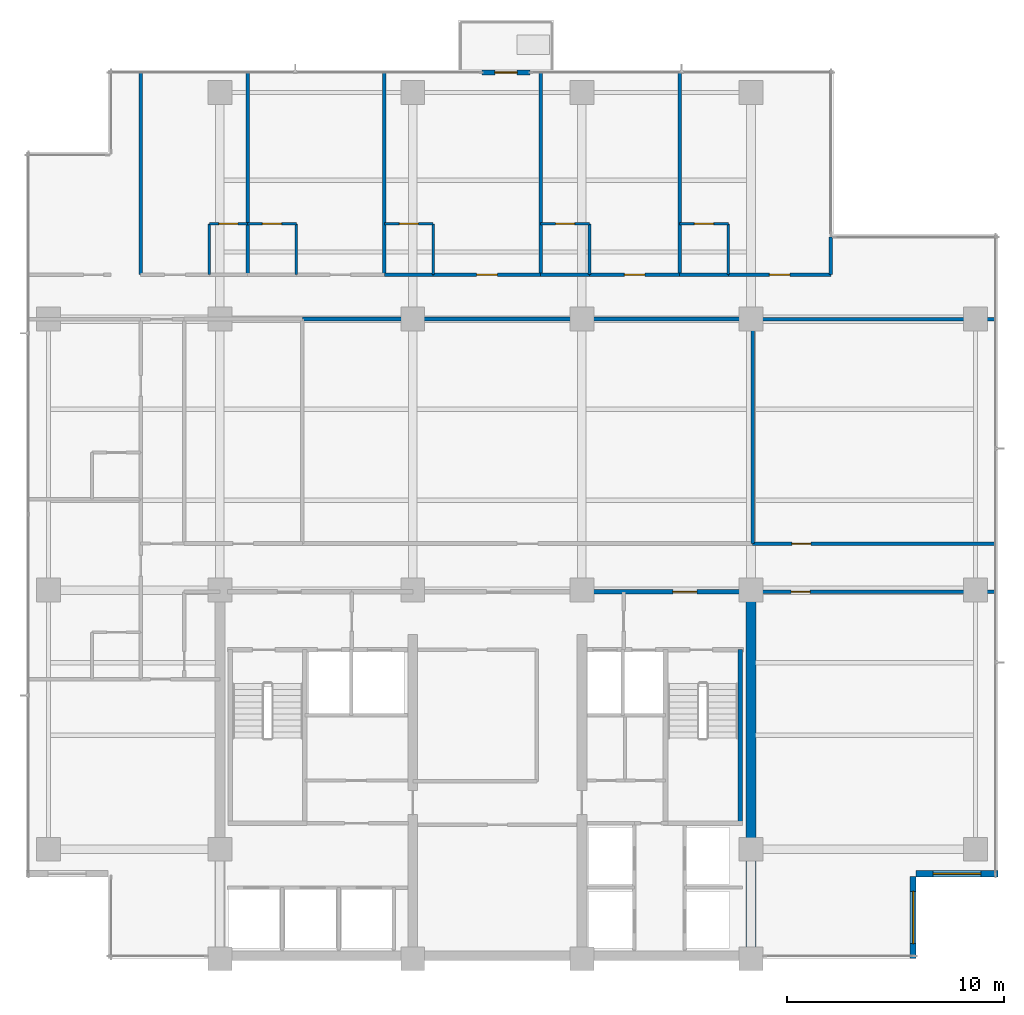
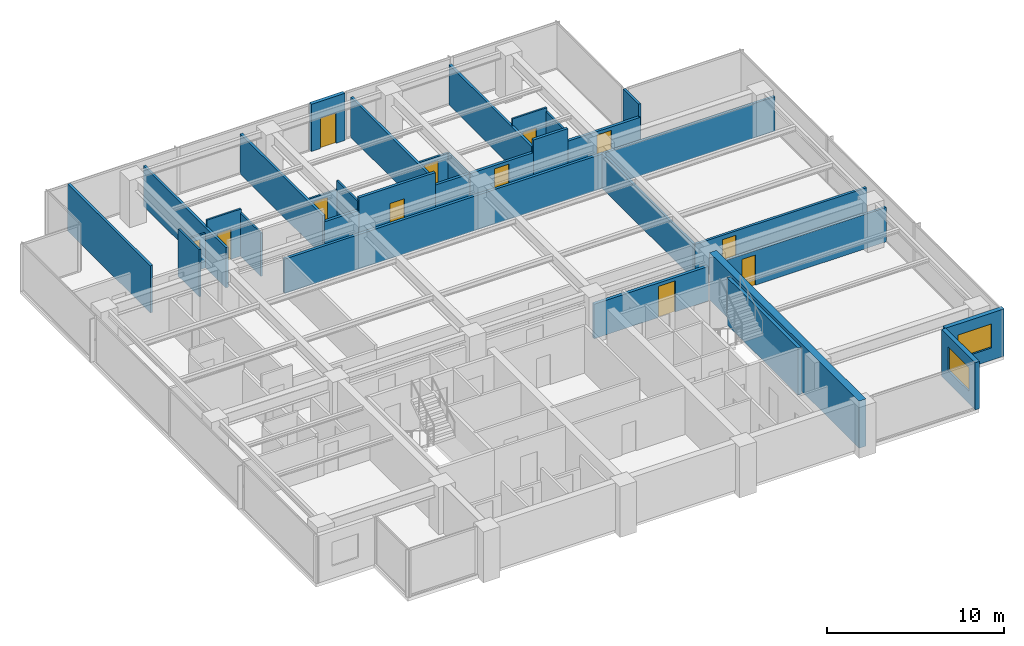
# One storey, part 9 of 15: 33 walls, 12 doors, 2 windows, 14 openings.
"""IFC4 building model written with IfcOpenShell, lengths in metres."""

from ifc_helpers import new_model, si_unit, direction, frame, frame_2d, origin, place, context, subcontext, project, spatial, rectangle, extrude, material, layer, layer_set, type_object, element, fill, save


model = new_model("IFC4")

# Units and contexts
model_context = context("Model", 3, precision=1e-05, world=origin(), true_north=direction((0.0, 1.0)))
body_context = subcontext(model_context, "Body", "Model", "MODEL_VIEW")
ifc_project = project(units=[si_unit("LENGTHUNIT", "METRE"), si_unit("AREAUNIT", "SQUARE_METRE"), si_unit("VOLUMEUNIT", "CUBIC_METRE"), si_unit("PLANEANGLEUNIT", "RADIAN"), si_unit("MASSUNIT", "GRAM", prefix="KILO")], contexts=[model_context])

# Site, building, storey
site_placement = place(None, origin())
site = spatial("IfcSite", under=ifc_project, at=site_placement, CompositionType="ELEMENT")
building_placement = place(site_placement, origin())
building = spatial("IfcBuilding", under=site, at=building_placement, Name="Qalmaran Belvedere Hotel", CompositionType="ELEMENT")
storey_placement = place(building_placement, frame((0.0, 0.0, 170.10009765625)))
storey = spatial("IfcBuildingStorey", under=building, at=storey_placement, Name="L43", CompositionType="ELEMENT", Elevation=170.10009765625)

# Wall, opening, door
ifc_material_1 = material(Name="Anodised Bronze Cladding")
ifc_layer_1 = layer(ifc_material_1, 0.22509765625, Name="Anodised Bronze Cladding")
ifc_layer_set_1 = layer_set([ifc_layer_1], Name="Anodised Bronze Cladding")
wall_type_1 = type_object("IfcWallType", Name="WL-BAL-PORT-225", PredefinedType="SOLIDWALL", material=ifc_layer_set_1)
wall_1_placement = place(storey_placement, frame((32.39990234375, 44.3798828125, 0.0), z_axis=(0.0, 0.0, 1.0), x_axis=(1.0, 0.0, 0.0)))
wall_1 = element("IfcWall", 1, at=wall_1_placement, inside=storey, type_object=wall_type_1, Name="L43 Tree Balcony Door Portal", PredefinedType="SOLIDWALL", context=body_context, shape_type="SweptSolid", body=[
    extrude(rectangle(XDim=2.2001953125, YDim=0.22509765625, at=frame_2d((1.10009765625, 0.0))), origin(), (0.0, 0.0, 1.0), 3.25),
])
opening_1_placement = place(wall_1_placement, frame((0.590087890625, 0.0, 0.0)))
opening_1 = element("IfcOpeningElement", 2, at=opening_1_placement, cuts=wall_1, Name="Opening BL-102", PredefinedType="OPENING", context=body_context, shape_type="SweptSolid", body=[
    extrude(rectangle(XDim=1.02001953125, YDim=2.10009765625, at=frame_2d((0.510009765625, 1.050048828125))), frame((0.0, 0.12255859375, 0.0), z_axis=(0.0, -1.0, 0.0), x_axis=(1.0, 0.0, 0.0)), (0.0, 0.0, 1.0), 0.2451171875),
])
ifc_material_2 = material(Name="Anodised Bronze Aluminium", Category="aluminium")
door_type_1 = type_object("IfcDoorType", Name="DR-BAL-1020X2100", OperationType="NOTDEFINED", PredefinedType="DOOR", material=ifc_material_2)
door_1_placement = place(opening_1_placement, origin())
door_1 = element("IfcDoor", 3, at=door_1_placement, inside=storey, type_object=door_type_1, Name="L43 Planted Tree Balcony Door", OperationType="SINGLE_SWING_RIGHT", OverallHeight=2.10009765625, OverallWidth=1.02001953125, PredefinedType="DOOR", context=body_context, shape_type="SweptSolid", body=[
    extrude(rectangle(XDim=1.02001953125, YDim=2.10009765625, at=frame_2d((0.510009765625, 1.050048828125))), frame((0.0, 0.02490234375, 0.0), z_axis=(0.0, -1.0, 0.0), x_axis=(1.0, 0.0, 0.0)), (0.0, 0.0, 1.0), 0.050048828125),
])
fill(opening_1, door_1)

# Wall
ifc_material_3 = material(Name="Concrete C50/60", Category="concrete")
ifc_layer_2 = layer(ifc_material_3, 0.449951171875, Name="Concrete C50/60")
ifc_layer_set_2 = layer_set([ifc_layer_2], Name="Concrete C50/60")
wall_type_2 = type_object("IfcWallType", Name="WL-CORE-450-C50", PredefinedType="SHEAR", material=ifc_layer_set_2)
wall_2_placement = place(storey_placement, frame((44.800048828125, 3.5, 0.0), z_axis=(0.0, 0.0, 1.0), x_axis=(0.0, 1.0, 0.0)))
element("IfcWall", 4, at=wall_2_placement, inside=storey, type_object=wall_type_2, Name="L43 East Core Shear Wall", PredefinedType="SHEAR", context=body_context, shape_type="SweptSolid", body=[
    extrude(rectangle(XDim=16.89990234375, YDim=0.449951171875, at=frame_2d((8.449951171875, 0.0))), origin(), (0.0, 0.0, 1.0), 3.25),
])

# Wall, opening, window
ifc_layer_3 = layer(ifc_material_1, 0.280029296875, Name="Anodised Bronze Cladding")
ifc_layer_set_3 = layer_set([ifc_layer_3], Name="Anodised Bronze Cladding")
wall_type_3 = type_object("IfcWallType", Name="WL-EXT-BRNZ-280", PredefinedType="SOLIDWALL", material=ifc_layer_set_3)
wall_3_placement = place(storey_placement, frame((52.280029296875, 3.5, 0.0), z_axis=(0.0, 0.0, 1.0), x_axis=(0.0, 1.0, 0.0)))
wall_3 = element("IfcWall", 5, at=wall_3_placement, inside=storey, type_object=wall_type_3, Name="L43 Corner Notch Wall 1", PredefinedType="SOLIDWALL", context=body_context, shape_type="SweptSolid", body=[
    extrude(rectangle(XDim=3.800048828125, YDim=0.280029296875, at=frame_2d((1.89990234375, 0.0))), origin(), (0.0, 0.0, 1.0), 3.25),
])
opening_2_placement = place(wall_3_placement, frame((0.699951171875, 0.0, 0.85009765625)))
opening_2 = element("IfcOpeningElement", 6, at=opening_2_placement, cuts=wall_3, Name="Opening W-N24", PredefinedType="OPENING", context=body_context, shape_type="SweptSolid", body=[
    extrude(rectangle(XDim=2.39990234375, YDim=1.64990234375, at=frame_2d((1.199951171875, 0.824951171875))), frame((0.0, 0.14990234375, 0.0), z_axis=(0.0, -1.0, 0.0), x_axis=(1.0, 0.0, 0.0)), (0.0, 0.0, 1.0), 0.300048828125),
])
ifc_material_4 = material(Name="Solar-Control Double Glazing", Category="glass")
window_type_1 = type_object("IfcWindowType", Name="WN-NTC-2400X1650", PartitioningType="SINGLE_PANEL", PredefinedType="WINDOW", material=ifc_material_4)
window_1_placement = place(opening_2_placement, origin())
window_1 = element("IfcWindow", 7, at=window_1_placement, inside=storey, type_object=window_type_1, Name="L43 Corner Notch Window 1", OverallHeight=1.64990234375, OverallWidth=2.39990234375, PartitioningType="SINGLE_PANEL", PredefinedType="WINDOW", context=body_context, shape_type="SweptSolid", body=[
    extrude(rectangle(XDim=2.39990234375, YDim=1.64990234375, at=frame_2d((1.199951171875, 0.824951171875))), frame((0.0, 0.030029296875, 0.0), z_axis=(0.0, -1.0, 0.0), x_axis=(1.0, 0.0, 0.0)), (0.0, 0.0, 1.0), 0.06005859375),
])
fill(opening_2, window_1)

wall_4_placement = place(storey_placement, frame((52.39990234375, 7.419921875, 0.0), z_axis=(0.0, 0.0, 1.0), x_axis=(1.0, 0.0, 0.0)))
wall_4 = element("IfcWall", 8, at=wall_4_placement, inside=storey, type_object=wall_type_3, Name="L43 Corner Notch Wall 2", PredefinedType="SOLIDWALL", context=body_context, shape_type="SweptSolid", body=[
    extrude(rectangle(XDim=3.800048828125, YDim=0.280029296875, at=frame_2d((1.89990234375, 0.0))), origin(), (0.0, 0.0, 1.0), 3.25),
])
opening_3_placement = place(wall_4_placement, frame((0.800048828125, 0.0, 0.85009765625)))
opening_3 = element("IfcOpeningElement", 9, at=opening_3_placement, cuts=wall_4, Name="Opening W-N22", PredefinedType="OPENING", context=body_context, shape_type="SweptSolid", body=[
    extrude(rectangle(XDim=2.199951171875, YDim=1.64990234375, at=frame_2d((1.10009765625, 0.824951171875))), frame((0.0, 0.14990234375, 0.0), z_axis=(0.0, -1.0, 0.0), x_axis=(1.0, 0.0, 0.0)), (0.0, 0.0, 1.0), 0.300048828125),
])
window_type_2 = type_object("IfcWindowType", Name="WN-NTC-2200X1650", PartitioningType="SINGLE_PANEL", PredefinedType="WINDOW", material=ifc_material_4)
window_2_placement = place(opening_3_placement, origin())
window_2 = element("IfcWindow", 10, at=window_2_placement, inside=storey, type_object=window_type_2, Name="L43 Corner Notch Window 2", OverallHeight=1.64990234375, OverallWidth=2.199951171875, PartitioningType="SINGLE_PANEL", PredefinedType="WINDOW", context=body_context, shape_type="SweptSolid", body=[
    extrude(rectangle(XDim=2.199951171875, YDim=1.64990234375, at=frame_2d((1.10009765625, 0.824951171875))), frame((0.0, 0.030029296875, 0.0), z_axis=(0.0, -1.0, 0.0), x_axis=(1.0, 0.0, 0.0)), (0.0, 0.0, 1.0), 0.06005859375),
])
fill(opening_3, window_2)

# Wall, opening, door
ifc_material_5 = material(Name="Moisture-Resistant Gypsum")
ifc_layer_4 = layer(ifc_material_5, 0.1201171875, Name="Moisture-Resistant Gypsum")
ifc_layer_set_4 = layer_set([ifc_layer_4], Name="Moisture-Resistant Gypsum")
wall_type_4 = type_object("IfcWallType", Name="WL-INT-120-BATH", PredefinedType="PARTITIONING", material=ifc_layer_set_4)
wall_5_placement = place(storey_placement, frame((19.809814453125, 37.39990234375, 0.0), z_axis=(0.0, 0.0, 1.0), x_axis=(1.0, 0.0, 0.0)))
wall_5 = element("IfcWall", 11, at=wall_5_placement, inside=storey, type_object=wall_type_4, Name="L43 Partition WL-L43-NBN00", PredefinedType="PARTITIONING", context=body_context, shape_type="SweptSolid", body=[
    extrude(rectangle(XDim=1.77001953125, YDim=0.1201171875, at=frame_2d((0.885009765625, 0.0))), origin(), (0.0, 0.0, 1.0), 2.3798828125),
])
opening_4_placement = place(wall_5_placement, frame((1.324951171875, 0.0, 0.0), z_axis=(0.0, 0.0, 1.0), x_axis=(-1.0, 0.0, 0.0)))
opening_4 = element("IfcOpeningElement", 12, at=opening_4_placement, cuts=wall_5, Name="Opening D-BATH", PredefinedType="OPENING", context=body_context, shape_type="SweptSolid", body=[
    extrude(rectangle(XDim=0.8798828125, YDim=2.080078125, at=frame_2d((0.43994140625, 1.0400390625))), frame((0.0, 0.070068359375, 0.0), z_axis=(0.0, -1.0, 0.0), x_axis=(1.0, 0.0, 0.0)), (0.0, 0.0, 1.0), 0.14013671875),
])
ifc_material_6 = material(Name="Engineered Oak Veneer")
door_type_2 = type_object("IfcDoorType", Name="DR-INT-BATH-880X2080", OperationType="NOTDEFINED", PredefinedType="DOOR", material=ifc_material_6)
door_2_placement = place(opening_4_placement, origin())
door_2 = element("IfcDoor", 13, at=door_2_placement, inside=storey, type_object=door_type_2, Name="L43 Ensuite Bathroom Door N01", OperationType="SINGLE_SWING_RIGHT", OverallHeight=2.080078125, OverallWidth=0.8798828125, PredefinedType="DOOR", context=body_context, shape_type="SweptSolid", body=[
    extrude(rectangle(XDim=0.8798828125, YDim=2.080078125, at=frame_2d((0.43994140625, 1.0400390625))), frame((0.0, 0.02490234375, 0.0), z_axis=(0.0, -1.0, 0.0), x_axis=(1.0, 0.0, 0.0)), (0.0, 0.0, 1.0), 0.050048828125),
])
fill(opening_4, door_2)

# Wall
wall_6_placement = place(storey_placement, frame((19.809814453125, 35.050048828125, 0.0), z_axis=(0.0, 0.0, 1.0), x_axis=(0.0, 1.0, 0.0)))
element("IfcWall", 14, at=wall_6_placement, inside=storey, type_object=wall_type_4, Name="L43 Partition WL-L43-NBS00", PredefinedType="PARTITIONING", context=body_context, shape_type="SweptSolid", body=[
    extrude(rectangle(XDim=2.349853515625, YDim=0.1201171875, at=frame_2d((1.1748046875, 0.0))), origin(), (0.0, 0.0, 1.0), 3.25),
])

# Wall, opening, door
wall_7_placement = place(storey_placement, frame((21.579833984375, 37.39990234375, 0.0), z_axis=(0.0, 0.0, 1.0), x_axis=(1.0, 0.0, 0.0)))
wall_7 = element("IfcWall", 15, at=wall_7_placement, inside=storey, type_object=wall_type_4, Name="L43 Partition WL-L43-NBN01", PredefinedType="PARTITIONING", context=body_context, shape_type="SweptSolid", body=[
    extrude(rectangle(XDim=2.25, YDim=0.1201171875, at=frame_2d((1.125, 0.0))), origin(), (0.0, 0.0, 1.0), 3.25),
])
opening_5_placement = place(wall_7_placement, frame((1.56494140625, 0.0, 0.0), z_axis=(0.0, 0.0, 1.0), x_axis=(-1.0, 0.0, 0.0)))
opening_5 = element("IfcOpeningElement", 16, at=opening_5_placement, cuts=wall_7, Name="Opening D-BATH", PredefinedType="OPENING", context=body_context, shape_type="SweptSolid", body=[
    extrude(rectangle(XDim=0.8798828125, YDim=2.080078125, at=frame_2d((0.43994140625, 1.0400390625))), frame((0.0, 0.070068359375, 0.0), z_axis=(0.0, -1.0, 0.0), x_axis=(1.0, 0.0, 0.0)), (0.0, 0.0, 1.0), 0.14013671875),
])
door_3_placement = place(opening_5_placement, origin())
door_3 = element("IfcDoor", 17, at=door_3_placement, inside=storey, type_object=door_type_2, Name="L43 Ensuite Bathroom Door N02", OperationType="SINGLE_SWING_RIGHT", OverallHeight=2.080078125, OverallWidth=0.8798828125, PredefinedType="DOOR", context=body_context, shape_type="SweptSolid", body=[
    extrude(rectangle(XDim=0.8798828125, YDim=2.080078125, at=frame_2d((0.43994140625, 1.0400390625))), frame((0.0, 0.02490234375, 0.0), z_axis=(0.0, -1.0, 0.0), x_axis=(1.0, 0.0, 0.0)), (0.0, 0.0, 1.0), 0.050048828125),
])
fill(opening_5, door_3)

# Wall
wall_8_placement = place(storey_placement, frame((23.829833984375, 35.050048828125, 0.0), z_axis=(0.0, 0.0, 1.0), x_axis=(0.0, 1.0, 0.0)))
element("IfcWall", 18, at=wall_8_placement, inside=storey, type_object=wall_type_4, Name="L43 Partition WL-L43-NBS01", PredefinedType="PARTITIONING", context=body_context, shape_type="SweptSolid", body=[
    extrude(rectangle(XDim=2.349853515625, YDim=0.1201171875, at=frame_2d((1.1748046875, 0.0))), origin(), (0.0, 0.0, 1.0), 2.98779296875),
])

# Wall, opening, door
wall_9_placement = place(storey_placement, frame((27.889892578125, 37.39990234375, 0.0), z_axis=(0.0, 0.0, 1.0), x_axis=(1.0, 0.0, 0.0)))
wall_9 = element("IfcWall", 19, at=wall_9_placement, inside=storey, type_object=wall_type_4, Name="L43 Partition WL-L43-NBN02", PredefinedType="PARTITIONING", context=body_context, shape_type="SweptSolid", body=[
    extrude(rectangle(XDim=2.25, YDim=0.1201171875, at=frame_2d((1.125, 0.0))), origin(), (0.0, 0.0, 1.0), 2.3798828125),
])
opening_6_placement = place(wall_9_placement, frame((1.56494140625, 0.0, 0.0), z_axis=(0.0, 0.0, 1.0), x_axis=(-1.0, 0.0, 0.0)))
opening_6 = element("IfcOpeningElement", 20, at=opening_6_placement, cuts=wall_9, Name="Opening D-BATH", PredefinedType="OPENING", context=body_context, shape_type="SweptSolid", body=[
    extrude(rectangle(XDim=0.8798828125, YDim=2.080078125, at=frame_2d((0.43994140625, 1.0400390625))), frame((0.0, 0.070068359375, 0.0), z_axis=(0.0, -1.0, 0.0), x_axis=(1.0, 0.0, 0.0)), (0.0, 0.0, 1.0), 0.14013671875),
])
door_4_placement = place(opening_6_placement, origin())
door_4 = element("IfcDoor", 21, at=door_4_placement, inside=storey, type_object=door_type_2, Name="L43 Ensuite Bathroom Door N03", OperationType="SINGLE_SWING_RIGHT", OverallHeight=2.080078125, OverallWidth=0.8798828125, PredefinedType="DOOR", context=body_context, shape_type="SweptSolid", body=[
    extrude(rectangle(XDim=0.8798828125, YDim=2.080078125, at=frame_2d((0.43994140625, 1.0400390625))), frame((0.0, 0.02490234375, 0.0), z_axis=(0.0, -1.0, 0.0), x_axis=(1.0, 0.0, 0.0)), (0.0, 0.0, 1.0), 0.050048828125),
])
fill(opening_6, door_4)

# Wall
wall_10_placement = place(storey_placement, frame((30.139892578125, 35.050048828125, 0.0), z_axis=(0.0, 0.0, 1.0), x_axis=(0.0, 1.0, 0.0)))
element("IfcWall", 22, at=wall_10_placement, inside=storey, type_object=wall_type_4, Name="L43 Partition WL-L43-NBS02", PredefinedType="PARTITIONING", context=body_context, shape_type="SweptSolid", body=[
    extrude(rectangle(XDim=2.349853515625, YDim=0.1201171875, at=frame_2d((1.1748046875, 0.0))), origin(), (0.0, 0.0, 1.0), 2.98779296875),
])

# Wall, opening, door
wall_11_placement = place(storey_placement, frame((35.10009765625, 37.39990234375, 0.0), z_axis=(0.0, 0.0, 1.0), x_axis=(1.0, 0.0, 0.0)))
wall_11 = element("IfcWall", 23, at=wall_11_placement, inside=storey, type_object=wall_type_4, Name="L43 Partition WL-L43-NBN03", PredefinedType="PARTITIONING", context=body_context, shape_type="SweptSolid", body=[
    extrude(rectangle(XDim=2.25, YDim=0.1201171875, at=frame_2d((1.125, 0.0))), origin(), (0.0, 0.0, 1.0), 2.3798828125),
])
opening_7_placement = place(wall_11_placement, frame((1.56494140625, 0.0, 0.0), z_axis=(0.0, 0.0, 1.0), x_axis=(-1.0, 0.0, 0.0)))
opening_7 = element("IfcOpeningElement", 24, at=opening_7_placement, cuts=wall_11, Name="Opening D-BATH", PredefinedType="OPENING", context=body_context, shape_type="SweptSolid", body=[
    extrude(rectangle(XDim=0.8798828125, YDim=2.080078125, at=frame_2d((0.43994140625, 1.0400390625))), frame((0.0, 0.070068359375, 0.0), z_axis=(0.0, -1.0, 0.0), x_axis=(1.0, 0.0, 0.0)), (0.0, 0.0, 1.0), 0.14013671875),
])
door_5_placement = place(opening_7_placement, origin())
door_5 = element("IfcDoor", 25, at=door_5_placement, inside=storey, type_object=door_type_2, Name="L43 Ensuite Bathroom Door N04", OperationType="SINGLE_SWING_RIGHT", OverallHeight=2.080078125, OverallWidth=0.8798828125, PredefinedType="DOOR", context=body_context, shape_type="SweptSolid", body=[
    extrude(rectangle(XDim=0.8798828125, YDim=2.080078125, at=frame_2d((0.43994140625, 1.0400390625))), frame((0.0, 0.02490234375, 0.0), z_axis=(0.0, -1.0, 0.0), x_axis=(1.0, 0.0, 0.0)), (0.0, 0.0, 1.0), 0.050048828125),
])
fill(opening_7, door_5)

# Wall
wall_12_placement = place(storey_placement, frame((37.35009765625, 35.050048828125, 0.0), z_axis=(0.0, 0.0, 1.0), x_axis=(0.0, 1.0, 0.0)))
element("IfcWall", 26, at=wall_12_placement, inside=storey, type_object=wall_type_4, Name="L43 Partition WL-L43-NBS03", PredefinedType="PARTITIONING", context=body_context, shape_type="SweptSolid", body=[
    extrude(rectangle(XDim=2.349853515625, YDim=0.1201171875, at=frame_2d((1.1748046875, 0.0))), origin(), (0.0, 0.0, 1.0), 2.3798828125),
])

# Wall, opening, door
wall_13_placement = place(storey_placement, frame((41.505859375, 37.39990234375, 0.0), z_axis=(0.0, 0.0, 1.0), x_axis=(1.0, 0.0, 0.0)))
wall_13 = element("IfcWall", 27, at=wall_13_placement, inside=storey, type_object=wall_type_4, Name="L43 Partition WL-L43-NBN04", PredefinedType="PARTITIONING", context=body_context, shape_type="SweptSolid", body=[
    extrude(rectangle(XDim=2.25, YDim=0.1201171875, at=frame_2d((1.125, 0.0))), origin(), (0.0, 0.0, 1.0), 3.25),
])
opening_8_placement = place(wall_13_placement, frame((1.56494140625, 0.0, 0.0), z_axis=(0.0, 0.0, 1.0), x_axis=(-1.0, 0.0, 0.0)))
opening_8 = element("IfcOpeningElement", 28, at=opening_8_placement, cuts=wall_13, Name="Opening D-BATH", PredefinedType="OPENING", context=body_context, shape_type="SweptSolid", body=[
    extrude(rectangle(XDim=0.8798828125, YDim=2.080078125, at=frame_2d((0.43994140625, 1.0400390625))), frame((0.0, 0.070068359375, 0.0), z_axis=(0.0, -1.0, 0.0), x_axis=(1.0, 0.0, 0.0)), (0.0, 0.0, 1.0), 0.14013671875),
])
door_6_placement = place(opening_8_placement, origin())
door_6 = element("IfcDoor", 29, at=door_6_placement, inside=storey, type_object=door_type_2, Name="L43 Ensuite Bathroom Door N05", OperationType="SINGLE_SWING_RIGHT", OverallHeight=2.080078125, OverallWidth=0.8798828125, PredefinedType="DOOR", context=body_context, shape_type="SweptSolid", body=[
    extrude(rectangle(XDim=0.8798828125, YDim=2.080078125, at=frame_2d((0.43994140625, 1.0400390625))), frame((0.0, 0.02490234375, 0.0), z_axis=(0.0, -1.0, 0.0), x_axis=(1.0, 0.0, 0.0)), (0.0, 0.0, 1.0), 0.050048828125),
])
fill(opening_8, door_6)

# Wall
wall_14_placement = place(storey_placement, frame((43.755859375, 35.050048828125, 0.0), z_axis=(0.0, 0.0, 1.0), x_axis=(0.0, 1.0, 0.0)))
element("IfcWall", 30, at=wall_14_placement, inside=storey, type_object=wall_type_4, Name="L43 Partition WL-L43-NBS04", PredefinedType="PARTITIONING", context=body_context, shape_type="SweptSolid", body=[
    extrude(rectangle(XDim=2.349853515625, YDim=0.1201171875, at=frame_2d((1.1748046875, 0.0))), origin(), (0.0, 0.0, 1.0), 2.98779296875),
])

# Wall, opening, door
ifc_material_7 = material(Name="Gypsum Stud Partition")
ifc_layer_5 = layer(ifc_material_7, 0.159912109375, Name="Gypsum Stud Partition")
ifc_layer_set_5 = layer_set([ifc_layer_5], Name="Gypsum Stud Partition")
wall_type_5 = type_object("IfcWallType", Name="WL-INT-160-EI60", PredefinedType="PARTITIONING", material=ifc_layer_set_5)
wall_15_placement = place(storey_placement, frame((44.800048828125, 20.419921875, 0.0), z_axis=(0.0, 0.0, 1.0), x_axis=(1.0, 0.0, 0.0)))
wall_15 = element("IfcWall", 31, at=wall_15_placement, inside=storey, type_object=wall_type_5, Name="L43 Partition WL-L43-ECE1S", PredefinedType="PARTITIONING", context=body_context, shape_type="SweptSolid", body=[
    extrude(rectangle(XDim=11.280029296875, YDim=0.159912109375, at=frame_2d((5.64013671875, 0.0))), origin(), (0.0, 0.0, 1.0), 2.3798828125),
])
opening_9_placement = place(wall_15_placement, frame((2.72998046875, 0.0, 0.0), z_axis=(0.0, 0.0, 1.0), x_axis=(-1.0, 0.0, 0.0)))
opening_9 = element("IfcOpeningElement", 32, at=opening_9_placement, cuts=wall_15, Name="Opening FD60B", PredefinedType="OPENING", context=body_context, shape_type="SweptSolid", body=[
    extrude(rectangle(XDim=0.8798828125, YDim=2.080078125, at=frame_2d((0.43994140625, 1.0400390625))), frame((0.0, 0.08984375, 0.0), z_axis=(0.0, -1.0, 0.0), x_axis=(1.0, 0.0, 0.0)), (0.0, 0.0, 1.0), 0.179931640625),
])
ifc_material_8 = material(Name="Steel S355JR", Category="steel")
door_type_3 = type_object("IfcDoorType", Name="DR-FD60B-880X2080", OperationType="NOTDEFINED", PredefinedType="DOOR", material=ifc_material_8)
door_7_placement = place(opening_9_placement, origin())
door_7 = element("IfcDoor", 33, at=door_7_placement, inside=storey, type_object=door_type_3, Name="L43 East Library Door", OperationType="SINGLE_SWING_RIGHT", OverallHeight=2.080078125, OverallWidth=0.8798828125, PredefinedType="DOOR", context=body_context, shape_type="SweptSolid", body=[
    extrude(rectangle(XDim=0.8798828125, YDim=2.080078125, at=frame_2d((0.43994140625, 1.0400390625))), frame((0.0, 0.02490234375, 0.0), z_axis=(0.0, -1.0, 0.0), x_axis=(1.0, 0.0, 0.0)), (0.0, 0.0, 1.0), 0.050048828125),
])
fill(opening_9, door_7)

wall_16_placement = place(storey_placement, frame((44.8798828125, 22.64990234375, 0.0), z_axis=(0.0, 0.0, 1.0), x_axis=(1.0, 0.0, 0.0)))
wall_16 = element("IfcWall", 34, at=wall_16_placement, inside=storey, type_object=wall_type_5, Name="L43 Partition WL-L43-ECE2N", PredefinedType="PARTITIONING", context=body_context, shape_type="SweptSolid", body=[
    extrude(rectangle(XDim=11.2001953125, YDim=0.159912109375, at=frame_2d((5.60009765625, 0.0))), origin(), (0.0, 0.0, 1.0), 2.3798828125),
])
opening_10_placement = place(wall_16_placement, frame((1.800048828125, 0.0, 0.0)))
opening_10 = element("IfcOpeningElement", 35, at=opening_10_placement, cuts=wall_16, Name="Opening FD60B", PredefinedType="OPENING", context=body_context, shape_type="SweptSolid", body=[
    extrude(rectangle(XDim=0.8798828125, YDim=2.080078125, at=frame_2d((0.43994140625, 1.0400390625))), frame((0.0, 0.08984375, 0.0), z_axis=(0.0, -1.0, 0.0), x_axis=(1.0, 0.0, 0.0)), (0.0, 0.0, 1.0), 0.179931640625),
])
door_8_placement = place(opening_10_placement, origin())
door_8 = element("IfcDoor", 36, at=door_8_placement, inside=storey, type_object=door_type_3, Name="L43 East Fitness Door", OperationType="SINGLE_SWING_LEFT", OverallHeight=2.080078125, OverallWidth=0.8798828125, PredefinedType="DOOR", context=body_context, shape_type="SweptSolid", body=[
    extrude(rectangle(XDim=0.8798828125, YDim=2.080078125, at=frame_2d((0.43994140625, 1.0400390625))), frame((0.0, 0.02490234375, 0.0), z_axis=(0.0, -1.0, 0.0), x_axis=(1.0, 0.0, 0.0)), (0.0, 0.0, 1.0), 0.050048828125),
])
fill(opening_10, door_8)

# Walls
wall_17_placement = place(storey_placement, frame((44.8798828125, 33.0, 0.0), z_axis=(0.0, 0.0, 1.0), x_axis=(1.0, 0.0, 0.0)))
element("IfcWall", 37, at=wall_17_placement, inside=storey, type_object=wall_type_5, Name="L43 Partition WL-L43-ECEN", PredefinedType="PARTITIONING", context=body_context, shape_type="SweptSolid", body=[
    extrude(rectangle(XDim=11.2001953125, YDim=0.159912109375, at=frame_2d((5.60009765625, 0.0))), origin(), (0.0, 0.0, 1.0), 2.3798828125),
])
wall_18_placement = place(storey_placement, frame((44.8798828125, 22.64990234375, 0.0), z_axis=(0.0, 0.0, 1.0), x_axis=(0.0, 1.0, 0.0)))
element("IfcWall", 38, at=wall_18_placement, inside=storey, type_object=wall_type_5, Name="L43 Partition WL-L43-MIDVR2", PredefinedType="PARTITIONING", context=body_context, shape_type="SweptSolid", body=[
    extrude(rectangle(XDim=10.35009765625, YDim=0.159912109375, at=frame_2d((5.175048828125, 0.0))), origin(), (0.0, 0.0, 1.0), 2.3798828125),
])
wall_19_placement = place(storey_placement, frame((16.64990234375, 35.050048828125, 0.0), z_axis=(0.0, 0.0, 1.0), x_axis=(0.0, 1.0, 0.0)))
element("IfcWall", 39, at=wall_19_placement, inside=storey, type_object=wall_type_5, Name="L43 Partition WL-L43-NUL", PredefinedType="PARTITIONING", context=body_context, shape_type="SweptSolid", body=[
    extrude(rectangle(XDim=9.329833984375, YDim=0.159912109375, at=frame_2d((4.6650390625, 0.0))), origin(), (0.0, 0.0, 1.0), 3.25),
])
for number, where, z_axis, x_axis, name in (
    (40, (21.579833984375, 35.050048828125, 0.0), (0.0, 0.0, 1.0), (0.0, 1.0, 0.0), "L43 Partition WL-L43-NUR00"),
    (41, (27.889892578125, 35.050048828125, 0.0), (0.0, 0.0, 1.0), (0.0, 1.0, 0.0), "L43 Partition WL-L43-NUR01"),
    (42, (35.10009765625, 35.050048828125, 0.0), (0.0, 0.0, 1.0), (0.0, 1.0, 0.0), "L43 Partition WL-L43-NUR02"),
    (43, (41.505859375, 35.050048828125, 0.0), (0.0, 0.0, 1.0), (0.0, 1.0, 0.0), "L43 Partition WL-L43-NUR03"),
):
    element("IfcWall", number, at=place(storey_placement, frame(where, z_axis=z_axis, x_axis=x_axis)), inside=storey, type_object=wall_type_5, Name=name, PredefinedType="PARTITIONING", context=body_context, shape_type="SweptSolid", body=[
        extrude(rectangle(XDim=9.329833984375, YDim=0.159912109375, at=frame_2d((4.6650390625, 0.0))), origin(), (0.0, 0.0, 1.0), 2.77197265625),
    ])
wall_20_placement = place(storey_placement, frame((48.47998046875, 35.050048828125, 0.0), z_axis=(0.0, 0.0, 1.0), x_axis=(0.0, 1.0, 0.0)))
element("IfcWall", 44, at=wall_20_placement, inside=storey, type_object=wall_type_5, Name="L43 Partition WL-L43-NUR04", PredefinedType="PARTITIONING", context=body_context, shape_type="SweptSolid", body=[
    extrude(rectangle(XDim=1.72998046875, YDim=0.159912109375, at=frame_2d((0.864990234375, 0.0))), origin(), (0.0, 0.0, 1.0), 3.25),
])
ifc_layer_6 = layer(ifc_material_7, 0.179931640625, Name="Gypsum Stud Partition")
ifc_layer_set_6 = layer_set([ifc_layer_6], Name="Gypsum Stud Partition")
wall_type_6 = type_object("IfcWallType", Name="WL-INT-180-EI60", PredefinedType="PARTITIONING", material=ifc_layer_set_6)
wall_21_placement = place(storey_placement, frame((24.10009765625, 33.0, 0.0), z_axis=(0.0, 0.0, 1.0), x_axis=(1.0, 0.0, 0.0)))
element("IfcWall", 45, at=wall_21_placement, inside=storey, type_object=wall_type_6, Name="L43 Partition WL-L43-MIDO2", PredefinedType="PARTITIONING", context=body_context, shape_type="SweptSolid", body=[
    extrude(rectangle(XDim=20.77978515625, YDim=0.179931640625, at=frame_2d((10.389892578125, 0.0))), origin(), (0.0, 0.0, 1.0), 2.3798828125),
])
wall_22_placement = place(storey_placement, frame((27.889892578125, 35.050048828125, 0.0), z_axis=(0.0, 0.0, 1.0), x_axis=(1.0, 0.0, 0.0)))
element("IfcWall", 46, at=wall_22_placement, inside=storey, type_object=wall_type_6, Name="L43 Partition WL-L43-NBC02", PredefinedType="PARTITIONING", context=body_context, shape_type="SweptSolid", body=[
    extrude(rectangle(XDim=2.25, YDim=0.179931640625, at=frame_2d((1.125, 0.0))), origin(), (0.0, 0.0, 1.0), 2.3798828125),
])

# Wall, opening, door
wall_23_placement = place(storey_placement, frame((30.139892578125, 35.050048828125, 0.0), z_axis=(0.0, 0.0, 1.0), x_axis=(1.0, 0.0, 0.0)))
wall_23 = element("IfcWall", 47, at=wall_23_placement, inside=storey, type_object=wall_type_6, Name="L43 Partition WL-L43-NEC02", PredefinedType="PARTITIONING", context=body_context, shape_type="SweptSolid", body=[
    extrude(rectangle(XDim=4.960205078125, YDim=0.179931640625, at=frame_2d((2.47998046875, 0.0))), origin(), (0.0, 0.0, 1.0), 3.25),
])
opening_11_placement = place(wall_23_placement, frame((2.005126953125, 0.0, 0.0)))
opening_11 = element("IfcOpeningElement", 48, at=opening_11_placement, cuts=wall_23, Name="Opening FD60", PredefinedType="OPENING", context=body_context, shape_type="SweptSolid", body=[
    extrude(rectangle(XDim=0.949951171875, YDim=2.14990234375, at=frame_2d((0.47509765625, 1.074951171875))), frame((0.0, 0.10009765625, 0.0), z_axis=(0.0, -1.0, 0.0), x_axis=(1.0, 0.0, 0.0)), (0.0, 0.0, 1.0), 0.199951171875),
])
door_type_4 = type_object("IfcDoorType", Name="DR-FD60-950X2150", OperationType="NOTDEFINED", PredefinedType="DOOR", material=ifc_material_6)
door_9_placement = place(opening_11_placement, origin())
door_9 = element("IfcDoor", 49, at=door_9_placement, inside=storey, type_object=door_type_4, Name="L43 Guest Entrance Door N03", OperationType="SINGLE_SWING_LEFT", OverallHeight=2.14990234375, OverallWidth=0.949951171875, PredefinedType="DOOR", context=body_context, shape_type="SweptSolid", body=[
    extrude(rectangle(XDim=0.949951171875, YDim=2.14990234375, at=frame_2d((0.47509765625, 1.074951171875))), frame((0.0, 0.02490234375, 0.0), z_axis=(0.0, -1.0, 0.0), x_axis=(1.0, 0.0, 0.0)), (0.0, 0.0, 1.0), 0.050048828125),
])
fill(opening_11, door_9)

# Wall
wall_24_placement = place(storey_placement, frame((35.10009765625, 35.050048828125, 0.0), z_axis=(0.0, 0.0, 1.0), x_axis=(1.0, 0.0, 0.0)))
element("IfcWall", 50, at=wall_24_placement, inside=storey, type_object=wall_type_6, Name="L43 Partition WL-L43-NBC03", PredefinedType="PARTITIONING", context=body_context, shape_type="SweptSolid", body=[
    extrude(rectangle(XDim=2.25, YDim=0.179931640625, at=frame_2d((1.125, 0.0))), origin(), (0.0, 0.0, 1.0), 2.3798828125),
])

# Wall, opening, door
wall_25_placement = place(storey_placement, frame((37.35009765625, 35.050048828125, 0.0), z_axis=(0.0, 0.0, 1.0), x_axis=(1.0, 0.0, 0.0)))
wall_25 = element("IfcWall", 51, at=wall_25_placement, inside=storey, type_object=wall_type_6, Name="L43 Partition WL-L43-NEC03", PredefinedType="PARTITIONING", context=body_context, shape_type="SweptSolid", body=[
    extrude(rectangle(XDim=4.15576171875, YDim=0.179931640625, at=frame_2d((2.077880859375, 0.0))), origin(), (0.0, 0.0, 1.0), 2.3798828125),
])
opening_12_placement = place(wall_25_placement, frame((1.602783203125, 0.0, 0.0)))
opening_12 = element("IfcOpeningElement", 52, at=opening_12_placement, cuts=wall_25, Name="Opening FD60", PredefinedType="OPENING", context=body_context, shape_type="SweptSolid", body=[
    extrude(rectangle(XDim=0.949951171875, YDim=2.14990234375, at=frame_2d((0.47509765625, 1.074951171875))), frame((0.0, 0.10009765625, 0.0), z_axis=(0.0, -1.0, 0.0), x_axis=(1.0, 0.0, 0.0)), (0.0, 0.0, 1.0), 0.199951171875),
])
door_10_placement = place(opening_12_placement, origin())
door_10 = element("IfcDoor", 53, at=door_10_placement, inside=storey, type_object=door_type_4, Name="L43 Guest Entrance Door N04", OperationType="SINGLE_SWING_LEFT", OverallHeight=2.14990234375, OverallWidth=0.949951171875, PredefinedType="DOOR", context=body_context, shape_type="SweptSolid", body=[
    extrude(rectangle(XDim=0.949951171875, YDim=2.14990234375, at=frame_2d((0.47509765625, 1.074951171875))), frame((0.0, 0.02490234375, 0.0), z_axis=(0.0, -1.0, 0.0), x_axis=(1.0, 0.0, 0.0)), (0.0, 0.0, 1.0), 0.050048828125),
])
fill(opening_12, door_10)

# Wall
wall_26_placement = place(storey_placement, frame((41.505859375, 35.050048828125, 0.0), z_axis=(0.0, 0.0, 1.0), x_axis=(1.0, 0.0, 0.0)))
element("IfcWall", 54, at=wall_26_placement, inside=storey, type_object=wall_type_6, Name="L43 Partition WL-L43-NBC04", PredefinedType="PARTITIONING", context=body_context, shape_type="SweptSolid", body=[
    extrude(rectangle(XDim=2.25, YDim=0.179931640625, at=frame_2d((1.125, 0.0))), origin(), (0.0, 0.0, 1.0), 3.25),
])

# Wall, opening, door
wall_27_placement = place(storey_placement, frame((43.755859375, 35.050048828125, 0.0), z_axis=(0.0, 0.0, 1.0), x_axis=(1.0, 0.0, 0.0)))
wall_27 = element("IfcWall", 55, at=wall_27_placement, inside=storey, type_object=wall_type_6, Name="L43 Partition WL-L43-NEC04", PredefinedType="PARTITIONING", context=body_context, shape_type="SweptSolid", body=[
    extrude(rectangle(XDim=4.72412109375, YDim=0.179931640625, at=frame_2d((2.362060546875, 0.0))), origin(), (0.0, 0.0, 1.0), 2.3798828125),
])
opening_13_placement = place(wall_27_placement, frame((1.886962890625, 0.0, 0.0)))
opening_13 = element("IfcOpeningElement", 56, at=opening_13_placement, cuts=wall_27, Name="Opening FD60", PredefinedType="OPENING", context=body_context, shape_type="SweptSolid", body=[
    extrude(rectangle(XDim=0.949951171875, YDim=2.14990234375, at=frame_2d((0.47509765625, 1.074951171875))), frame((0.0, 0.10009765625, 0.0), z_axis=(0.0, -1.0, 0.0), x_axis=(1.0, 0.0, 0.0)), (0.0, 0.0, 1.0), 0.199951171875),
])
door_11_placement = place(opening_13_placement, origin())
door_11 = element("IfcDoor", 57, at=door_11_placement, inside=storey, type_object=door_type_4, Name="L43 Guest Entrance Door N05", OperationType="SINGLE_SWING_LEFT", OverallHeight=2.14990234375, OverallWidth=0.949951171875, PredefinedType="DOOR", context=body_context, shape_type="SweptSolid", body=[
    extrude(rectangle(XDim=0.949951171875, YDim=2.14990234375, at=frame_2d((0.47509765625, 1.074951171875))), frame((0.0, 0.02490234375, 0.0), z_axis=(0.0, -1.0, 0.0), x_axis=(1.0, 0.0, 0.0)), (0.0, 0.0, 1.0), 0.050048828125),
])
fill(opening_13, door_11)

ifc_material_9 = material(Name="Concrete C30/37 Blockwork", Category="masonry")
ifc_layer_7 = layer(ifc_material_9, 0.199951171875, Name="Concrete C30/37 Blockwork")
ifc_layer_set_7 = layer_set([ifc_layer_7], Name="Concrete C30/37 Blockwork")
wall_type_7 = type_object("IfcWallType", Name="WL-INT-200-EI120", PredefinedType="PARTITIONING", material=ifc_layer_set_7)
wall_28_placement = place(storey_placement, frame((37.0, 20.419921875, 0.0), z_axis=(0.0, 0.0, 1.0), x_axis=(1.0, 0.0, 0.0)))
wall_28 = element("IfcWall", 58, at=wall_28_placement, inside=storey, type_object=wall_type_7, Name="L43 Partition WL-CN3-L43", PredefinedType="PARTITIONING", context=body_context, shape_type="SweptSolid", body=[
    extrude(rectangle(XDim=7.449951171875, YDim=0.199951171875, at=frame_2d((3.72509765625, 0.0))), origin(), (0.0, 0.0, 1.0), 2.3798828125),
])
opening_14_placement = place(wall_28_placement, frame((4.199951171875, 0.0, 0.0)))
opening_14 = element("IfcOpeningElement", 59, at=opening_14_placement, cuts=wall_28, Name="Opening FD90", PredefinedType="OPENING", context=body_context, shape_type="SweptSolid", body=[
    extrude(rectangle(XDim=1.10009765625, YDim=2.14990234375, at=frame_2d((0.550048828125, 1.074951171875))), frame((0.0, 0.10986328125, 0.0), z_axis=(0.0, -1.0, 0.0), x_axis=(1.0, 0.0, 0.0)), (0.0, 0.0, 1.0), 0.219970703125),
])
door_type_5 = type_object("IfcDoorType", Name="DR-FD90-1100X2150", OperationType="NOTDEFINED", PredefinedType="DOOR", material=ifc_material_8)
door_12_placement = place(opening_14_placement, origin())
door_12 = element("IfcDoor", 60, at=door_12_placement, inside=storey, type_object=door_type_5, Name="L43 FF2 Lobby Corridor Door", OperationType="SINGLE_SWING_RIGHT", OverallHeight=2.14990234375, OverallWidth=1.10009765625, PredefinedType="DOOR", context=body_context, shape_type="SweptSolid", body=[
    extrude(rectangle(XDim=1.10009765625, YDim=2.14990234375, at=frame_2d((0.550048828125, 1.074951171875))), frame((0.0, 0.02490234375, 0.0), z_axis=(0.0, -1.0, 0.0), x_axis=(1.0, 0.0, 0.0)), (0.0, 0.0, 1.0), 0.050048828125),
])
fill(opening_14, door_12)

# Wall
ifc_layer_8 = layer(ifc_material_3, 0.2099609375, Name="Concrete C50/60")
ifc_layer_set_8 = layer_set([ifc_layer_8], Name="Concrete C50/60")
wall_type_8 = type_object("IfcWallType", Name="WL-STAIR-210-C50", PredefinedType="SHEAR", material=ifc_layer_set_8)
wall_29_placement = place(storey_placement, frame((44.304931640625, 9.7451171875, 0.0), z_axis=(0.0, 0.0, 1.0), x_axis=(0.0, 1.0, 0.0)))
element("IfcWall", 61, at=wall_29_placement, inside=storey, type_object=wall_type_8, Name="L43 Stair ST-2 East Bearing Wall", PredefinedType="SHEAR", context=body_context, shape_type="SweptSolid", body=[
    extrude(rectangle(XDim=8.009765625, YDim=0.2099609375, at=frame_2d((4.0048828125, 0.0))), origin(), (0.0, 0.0, 1.0), 3.25),
])

save(model, "model.ifc")
